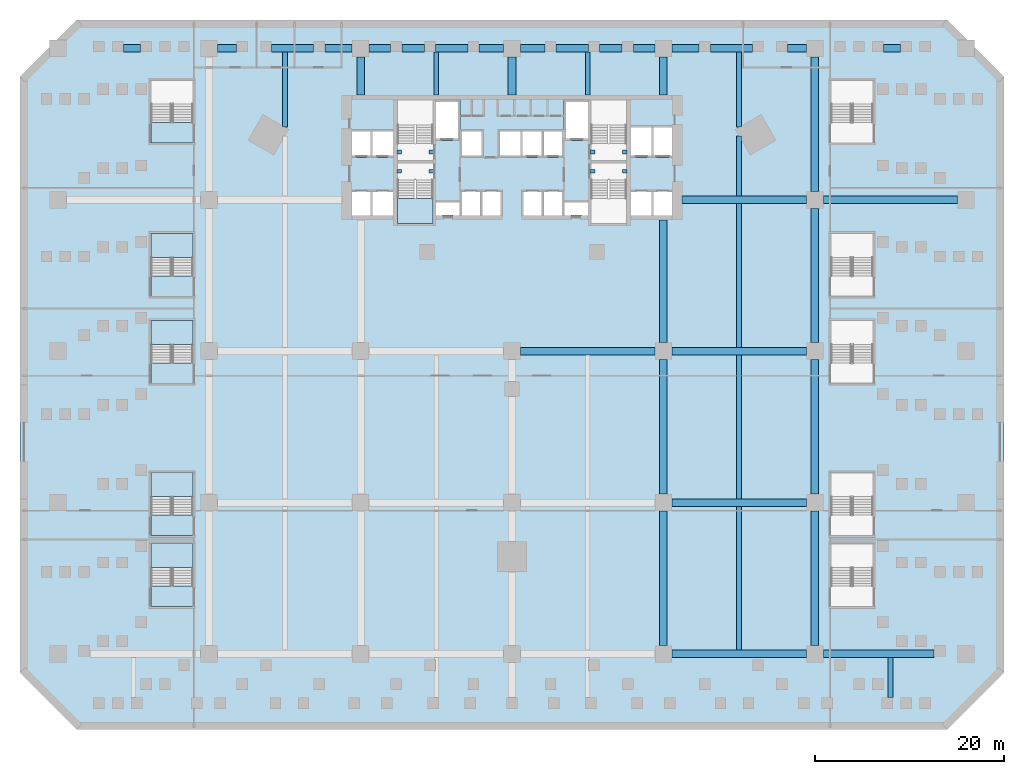
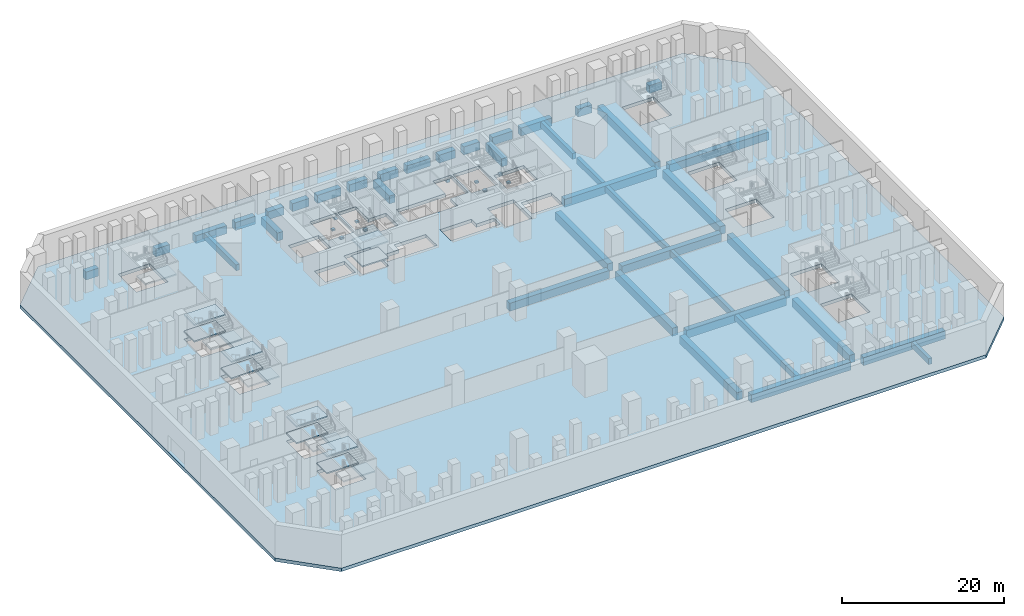
# One storey, part 2 of 24: 50 beams, 16 slabs, 6 elements without a shape of their own.
"""IFC4 building model written with IfcOpenShell, lengths in metres."""

from ifc_helpers import new_model, si_unit, direction, frame, origin, origin_2d, place, context, subcontext, project, spatial, polyline, rectangle, outline, extrude, material, layer, layer_set, material_profile, profile_set, type_object, element, aggregate, save


model = new_model("IFC4")

# Units and contexts
model_context = context("Model", 3, precision=1e-05, world=origin(), true_north=direction((0.0, 1.0)))
body_context = subcontext(model_context, "Body", "Model", "MODEL_VIEW")
ifc_project = project(units=[si_unit("LENGTHUNIT", "METRE"), si_unit("AREAUNIT", "SQUARE_METRE"), si_unit("VOLUMEUNIT", "CUBIC_METRE"), si_unit("PLANEANGLEUNIT", "RADIAN"), si_unit("MASSUNIT", "GRAM", prefix="KILO")], contexts=[model_context])

# Site, building, storey
site_placement = place(None, origin())
site = spatial("IfcSite", under=ifc_project, at=site_placement, CompositionType="ELEMENT")
building_placement = place(site_placement, origin())
building = spatial("IfcBuilding", under=site, at=building_placement, Name="Calabash Gate Tower", CompositionType="ELEMENT")
storey_placement = place(building_placement, frame((0.0, 0.0, -5.0)))
storey = spatial("IfcBuildingStorey", under=building, at=storey_placement, Name="B1", CompositionType="ELEMENT", Elevation=-5.0)

# Beams
ifc_material_1 = material(Name="Concrete C50/60", Category="concrete")
ifc_material_profile_1 = material_profile(ifc_material_1, rectangle(XDim=0.5, YDim=0.89990234375, at=origin_2d()))
ifc_profile_set_1 = profile_set([ifc_material_profile_1], Name="Concrete C50/60")
beam_type_1 = type_object("IfcBeamType", Name="Floor beam RC 500x900 Concrete C50/60", PredefinedType="BEAM", material=ifc_profile_set_1)
beam_1_placement = place(storey_placement, frame((-24.0, 15.681884765625, -0.949951171875), z_axis=(0.0, 1.0, 0.0), x_axis=(-1.0, 0.0, 0.0)))
element("IfcBeam", 1, at=beam_1_placement, inside=storey, type_object=beam_type_1, Name="Floor beam B1 6", PredefinedType="BEAM", context=body_context, shape_type="SweptSolid", body=[
    extrude(rectangle(XDim=0.5, YDim=0.89990234375, at=origin_2d()), origin(), (0.0, 0.0, 1.0), 7.918212890625),
])
for number, where, z_axis, x_axis, name in (
    (2, (-8.0, 19.052978515625, -0.949951171875), (0.0, 1.0, 0.0), (-1.0, 0.0, 0.0), "Floor beam B1 10"),
    (3, (8.0, 19.052978515625, -0.949951171875), (0.0, 1.0, 0.0), (-1.0, 0.0, 0.0), "Floor beam B1 14"),
):
    element("IfcBeam", number, at=place(storey_placement, frame(where, z_axis=z_axis, x_axis=x_axis)), inside=storey, type_object=beam_type_1, Name=name, PredefinedType="BEAM", context=body_context, shape_type="SweptSolid", body=[
        extrude(rectangle(XDim=0.5, YDim=0.89990234375, at=origin_2d()), origin(), (0.0, 0.0, 1.0), 4.547119140625),
    ])
for number, where, z_axis, x_axis, name in (
    (4, (24.0, -39.60009765625, -0.949951171875), (0.0, 1.0, 0.0), (-1.0, 0.0, 0.0), "Floor beam B1 15"),
    (5, (24.0, -23.60009765625, -0.949951171875), (0.0, 1.0, 0.0), (-1.0, 0.0, 0.0), "Floor beam B1 16"),
    (6, (24.0, -7.60009765625, -0.949951171875), (0.0, 1.0, 0.0), (-1.0, 0.0, 0.0), "Floor beam B1 17"),
):
    element("IfcBeam", number, at=place(storey_placement, frame(where, z_axis=z_axis, x_axis=x_axis)), inside=storey, type_object=beam_type_1, Name=name, PredefinedType="BEAM", context=body_context, shape_type="SweptSolid", body=[
        extrude(rectangle(XDim=0.5, YDim=0.89990234375, at=origin_2d()), origin(), (0.0, 0.0, 1.0), 15.2001953125),
    ])
beam_2_placement = place(storey_placement, frame((24.0, 8.39990234375, -0.949951171875), z_axis=(0.0, 1.0, 0.0), x_axis=(-1.0, 0.0, 0.0)))
element("IfcBeam", 7, at=beam_2_placement, inside=storey, type_object=beam_type_1, Name="Floor beam B1 18", PredefinedType="BEAM", context=body_context, shape_type="SweptSolid", body=[
    extrude(rectangle(XDim=0.5, YDim=0.89990234375, at=origin_2d()), origin(), (0.0, 0.0, 1.0), 6.319091796875),
])
beam_3_placement = place(storey_placement, frame((24.0, 15.681884765625, -0.949951171875), z_axis=(0.0, 1.0, 0.0), x_axis=(-1.0, 0.0, 0.0)))
element("IfcBeam", 8, at=beam_3_placement, inside=storey, type_object=beam_type_1, Name="Floor beam B1 19", PredefinedType="BEAM", context=body_context, shape_type="SweptSolid", body=[
    extrude(rectangle(XDim=0.5, YDim=0.89990234375, at=origin_2d()), origin(), (0.0, 0.0, 1.0), 7.918212890625),
])
beam_4_placement = place(storey_placement, frame((40.0, -44.60009765625, -0.949951171875), z_axis=(0.0, 1.0, 0.0), x_axis=(-1.0, 0.0, 0.0)))
element("IfcBeam", 9, at=beam_4_placement, inside=storey, type_object=beam_type_1, Name="Floor beam B1 20", PredefinedType="BEAM", context=body_context, shape_type="SweptSolid", body=[
    extrude(rectangle(XDim=0.5, YDim=0.89990234375, at=origin_2d()), origin(), (0.0, 0.0, 1.0), 4.2001953125),
])
ifc_material_2 = material(Name="Concrete C50/60", Category="concrete")
ifc_material_profile_2 = material_profile(ifc_material_2, rectangle(XDim=0.800048828125, YDim=1.199951171875, at=origin_2d()))
ifc_profile_set_2 = profile_set([ifc_material_profile_2], Name="Concrete C50/60")
beam_type_2 = type_object("IfcBeamType", Name="Grid girder RC 800x1200 Concrete C50/60", PredefinedType="BEAM", material=ifc_profile_set_2)
for number, where, z_axis, x_axis, name in (
    (10, (-16.0, 19.052978515625, -1.10009765625), (0.0, 1.0, 0.0), (-1.0, 0.0, 0.0), "Grid girder B1 8"),
    (11, (0.0, 19.052978515625, -1.10009765625), (0.0, 1.0, 0.0), (-1.0, 0.0, 0.0), "Grid girder B1 14"),
):
    element("IfcBeam", number, at=place(storey_placement, frame(where, z_axis=z_axis, x_axis=x_axis)), inside=storey, type_object=beam_type_2, Name=name, PredefinedType="BEAM", context=body_context, shape_type="SweptSolid", body=[
        extrude(rectangle(XDim=0.800048828125, YDim=1.199951171875, at=origin_2d()), origin(), (0.0, 0.0, 1.0), 4.047119140625),
    ])
for number, where, z_axis, x_axis, name in (
    (12, (16.0, -39.10009765625, -1.10009765625), (0.0, 1.0, 0.0), (-1.0, 0.0, 0.0), "Grid girder B1 15"),
    (13, (16.0, -23.10009765625, -1.10009765625), (0.0, 1.0, 0.0), (-1.0, 0.0, 0.0), "Grid girder B1 16"),
):
    element("IfcBeam", number, at=place(storey_placement, frame(where, z_axis=z_axis, x_axis=x_axis)), inside=storey, type_object=beam_type_2, Name=name, PredefinedType="BEAM", context=body_context, shape_type="SweptSolid", body=[
        extrude(rectangle(XDim=0.800048828125, YDim=1.199951171875, at=origin_2d()), origin(), (0.0, 0.0, 1.0), 14.2001953125),
    ])
beam_5_placement = place(storey_placement, frame((16.0, -7.10009765625, -1.10009765625), z_axis=(0.0, 1.0, 0.0), x_axis=(-1.0, 0.0, 0.0)))
element("IfcBeam", 14, at=beam_5_placement, inside=storey, type_object=beam_type_2, Name="Grid girder B1 17", PredefinedType="BEAM", context=body_context, shape_type="SweptSolid", body=[
    extrude(rectangle(XDim=0.800048828125, YDim=1.199951171875, at=origin_2d()), origin(), (0.0, 0.0, 1.0), 12.953125),
])
beam_6_placement = place(storey_placement, frame((16.0, 19.052978515625, -1.10009765625), z_axis=(0.0, 1.0, 0.0), x_axis=(-1.0, 0.0, 0.0)))
element("IfcBeam", 15, at=beam_6_placement, inside=storey, type_object=beam_type_2, Name="Grid girder B1 18", PredefinedType="BEAM", context=body_context, shape_type="SweptSolid", body=[
    extrude(rectangle(XDim=0.800048828125, YDim=1.199951171875, at=origin_2d()), origin(), (0.0, 0.0, 1.0), 4.047119140625),
])
for number, where, z_axis, x_axis, name in (
    (16, (32.0, -39.10009765625, -1.10009765625), (0.0, 1.0, 0.0), (-1.0, 0.0, 0.0), "Grid girder B1 19"),
    (17, (32.0, -23.10009765625, -1.10009765625), (0.0, 1.0, 0.0), (-1.0, 0.0, 0.0), "Grid girder B1 20"),
    (18, (32.0, -7.10009765625, -1.10009765625), (0.0, 1.0, 0.0), (-1.0, 0.0, 0.0), "Grid girder B1 21"),
    (19, (32.0, 8.89990234375, -1.10009765625), (0.0, 1.0, 0.0), (-1.0, 0.0, 0.0), "Grid girder B1 22"),
    (20, (16.89990234375, -40.0, -1.10009765625), (1.0, 0.0, 0.0), (0.0, 1.0, 0.0), "Grid girder B1 27"),
):
    element("IfcBeam", number, at=place(storey_placement, frame(where, z_axis=z_axis, x_axis=x_axis)), inside=storey, type_object=beam_type_2, Name=name, PredefinedType="BEAM", context=body_context, shape_type="SweptSolid", body=[
        extrude(rectangle(XDim=0.800048828125, YDim=1.199951171875, at=origin_2d()), origin(), (0.0, 0.0, 1.0), 14.2001953125),
    ])
beam_7_placement = place(storey_placement, frame((32.89990234375, -40.0, -1.10009765625), z_axis=(1.0, 0.0, 0.0), x_axis=(0.0, 1.0, 0.0)))
element("IfcBeam", 21, at=beam_7_placement, inside=storey, type_object=beam_type_2, Name="Grid girder B1 28", PredefinedType="BEAM", context=body_context, shape_type="SweptSolid", body=[
    extrude(rectangle(XDim=0.800048828125, YDim=1.199951171875, at=origin_2d()), origin(), (0.0, 0.0, 1.0), 11.7001953125),
])
for number, where, z_axis, x_axis, name in (
    (22, (16.89990234375, -24.0, -1.10009765625), (1.0, 0.0, 0.0), (0.0, 1.0, 0.0), "Grid girder B1 32"),
    (23, (0.89990234375, -8.0, -1.10009765625), (1.0, 0.0, 0.0), (0.0, 1.0, 0.0), "Grid girder B1 35"),
    (24, (16.89990234375, -8.0, -1.10009765625), (1.0, 0.0, 0.0), (0.0, 1.0, 0.0), "Grid girder B1 36"),
):
    element("IfcBeam", number, at=place(storey_placement, frame(where, z_axis=z_axis, x_axis=x_axis)), inside=storey, type_object=beam_type_2, Name=name, PredefinedType="BEAM", context=body_context, shape_type="SweptSolid", body=[
        extrude(rectangle(XDim=0.800048828125, YDim=1.199951171875, at=origin_2d()), origin(), (0.0, 0.0, 1.0), 14.2001953125),
    ])
beam_8_placement = place(storey_placement, frame((17.968017578125, 8.0, -1.10009765625), z_axis=(1.0, 0.0, 0.0), x_axis=(0.0, 1.0, 0.0)))
element("IfcBeam", 25, at=beam_8_placement, inside=storey, type_object=beam_type_2, Name="Grid girder B1 39", PredefinedType="BEAM", context=body_context, shape_type="SweptSolid", body=[
    extrude(rectangle(XDim=0.800048828125, YDim=1.199951171875, at=origin_2d()), origin(), (0.0, 0.0, 1.0), 13.132080078125),
])
beam_9_placement = place(storey_placement, frame((32.89990234375, 8.0, -1.10009765625), z_axis=(1.0, 0.0, 0.0), x_axis=(0.0, 1.0, 0.0)))
element("IfcBeam", 26, at=beam_9_placement, inside=storey, type_object=beam_type_2, Name="Grid girder B1 40", PredefinedType="BEAM", context=body_context, shape_type="SweptSolid", body=[
    extrude(rectangle(XDim=0.800048828125, YDim=1.199951171875, at=origin_2d()), origin(), (0.0, 0.0, 1.0), 14.2001953125),
])
beam_10_placement = place(storey_placement, frame((-41.069091796875, 24.0, -1.10009765625), z_axis=(1.0, 0.0, 0.0), x_axis=(0.0, 1.0, 0.0)))
element("IfcBeam", 27, at=beam_10_placement, inside=storey, type_object=beam_type_2, Name="Grid girder B1 41", PredefinedType="BEAM", context=body_context, shape_type="SweptSolid", body=[
    extrude(rectangle(XDim=0.800048828125, YDim=1.199951171875, at=origin_2d()), origin(), (0.0, 0.0, 1.0), 1.800048828125),
])
beam_11_placement = place(storey_placement, frame((-31.10009765625, 24.0, -1.10009765625), z_axis=(1.0, 0.0, 0.0), x_axis=(0.0, 1.0, 0.0)))
element("IfcBeam", 28, at=beam_11_placement, inside=storey, type_object=beam_type_2, Name="Grid girder B1 42", PredefinedType="BEAM", context=body_context, shape_type="SweptSolid", body=[
    extrude(rectangle(XDim=0.800048828125, YDim=1.199951171875, at=origin_2d()), origin(), (0.0, 0.0, 1.0), 1.97998046875),
])
beam_12_placement = place(storey_placement, frame((-25.40087890625, 24.0, -1.10009765625), z_axis=(1.0, 0.0, 0.0), x_axis=(0.0, 1.0, 0.0)))
element("IfcBeam", 29, at=beam_12_placement, inside=storey, type_object=beam_type_2, Name="Grid girder B1 43", PredefinedType="BEAM", context=body_context, shape_type="SweptSolid", body=[
    extrude(rectangle(XDim=0.800048828125, YDim=1.199951171875, at=origin_2d()), origin(), (0.0, 0.0, 1.0), 4.428955078125),
])
beam_13_placement = place(storey_placement, frame((-19.77099609375, 24.0, -1.10009765625), z_axis=(1.0, 0.0, 0.0), x_axis=(0.0, 1.0, 0.0)))
element("IfcBeam", 30, at=beam_13_placement, inside=storey, type_object=beam_type_2, Name="Grid girder B1 44", PredefinedType="BEAM", context=body_context, shape_type="SweptSolid", body=[
    extrude(rectangle(XDim=0.800048828125, YDim=1.199951171875, at=origin_2d()), origin(), (0.0, 0.0, 1.0), 2.87109375),
])
beam_14_placement = place(storey_placement, frame((-15.10009765625, 24.0, -1.10009765625), z_axis=(1.0, 0.0, 0.0), x_axis=(0.0, 1.0, 0.0)))
element("IfcBeam", 31, at=beam_14_placement, inside=storey, type_object=beam_type_2, Name="Grid girder B1 45", PredefinedType="BEAM", context=body_context, shape_type="SweptSolid", body=[
    extrude(rectangle(XDim=0.800048828125, YDim=1.199951171875, at=origin_2d()), origin(), (0.0, 0.0, 1.0), 2.277099609375),
])
beam_15_placement = place(storey_placement, frame((-11.623046875, 24.0, -1.10009765625), z_axis=(1.0, 0.0, 0.0), x_axis=(0.0, 1.0, 0.0)))
element("IfcBeam", 32, at=beam_15_placement, inside=storey, type_object=beam_type_2, Name="Grid girder B1 46", PredefinedType="BEAM", context=body_context, shape_type="SweptSolid", body=[
    extrude(rectangle(XDim=0.800048828125, YDim=1.199951171875, at=origin_2d()), origin(), (0.0, 0.0, 1.0), 2.35595703125),
])
beam_16_placement = place(storey_placement, frame((-8.06689453125, 24.0, -1.10009765625), z_axis=(1.0, 0.0, 0.0), x_axis=(0.0, 1.0, 0.0)))
element("IfcBeam", 33, at=beam_16_placement, inside=storey, type_object=beam_type_2, Name="Grid girder B1 47", PredefinedType="BEAM", context=body_context, shape_type="SweptSolid", body=[
    extrude(rectangle(XDim=0.800048828125, YDim=1.199951171875, at=origin_2d()), origin(), (0.0, 0.0, 1.0), 3.392822265625),
])
for number, where, z_axis, x_axis, name in (
    (34, (-3.47412109375, 24.0, -1.10009765625), (1.0, 0.0, 0.0), (0.0, 1.0, 0.0), "Grid girder B1 48"),
    (35, (0.89990234375, 24.0, -1.10009765625), (1.0, 0.0, 0.0), (0.0, 1.0, 0.0), "Grid girder B1 49"),
):
    element("IfcBeam", number, at=place(storey_placement, frame(where, z_axis=z_axis, x_axis=x_axis)), inside=storey, type_object=beam_type_2, Name=name, PredefinedType="BEAM", context=body_context, shape_type="SweptSolid", body=[
        extrude(rectangle(XDim=0.800048828125, YDim=1.199951171875, at=origin_2d()), origin(), (0.0, 0.0, 1.0), 2.57421875),
    ])
beam_17_placement = place(storey_placement, frame((4.674072265625, 24.0, -1.10009765625), z_axis=(1.0, 0.0, 0.0), x_axis=(0.0, 1.0, 0.0)))
element("IfcBeam", 36, at=beam_17_placement, inside=storey, type_object=beam_type_2, Name="Grid girder B1 50", PredefinedType="BEAM", context=body_context, shape_type="SweptSolid", body=[
    extrude(rectangle(XDim=0.800048828125, YDim=1.199951171875, at=origin_2d()), origin(), (0.0, 0.0, 1.0), 3.392822265625),
])
beam_18_placement = place(storey_placement, frame((9.26708984375, 24.0, -1.10009765625), z_axis=(1.0, 0.0, 0.0), x_axis=(0.0, 1.0, 0.0)))
element("IfcBeam", 37, at=beam_18_placement, inside=storey, type_object=beam_type_2, Name="Grid girder B1 51", PredefinedType="BEAM", context=body_context, shape_type="SweptSolid", body=[
    extrude(rectangle(XDim=0.800048828125, YDim=1.199951171875, at=origin_2d()), origin(), (0.0, 0.0, 1.0), 2.35595703125),
])
beam_19_placement = place(storey_placement, frame((12.822998046875, 24.0, -1.10009765625), z_axis=(1.0, 0.0, 0.0), x_axis=(0.0, 1.0, 0.0)))
element("IfcBeam", 38, at=beam_19_placement, inside=storey, type_object=beam_type_2, Name="Grid girder B1 52", PredefinedType="BEAM", context=body_context, shape_type="SweptSolid", body=[
    extrude(rectangle(XDim=0.800048828125, YDim=1.199951171875, at=origin_2d()), origin(), (0.0, 0.0, 1.0), 2.277099609375),
])
beam_20_placement = place(storey_placement, frame((16.89990234375, 24.0, -1.10009765625), z_axis=(1.0, 0.0, 0.0), x_axis=(0.0, 1.0, 0.0)))
element("IfcBeam", 39, at=beam_20_placement, inside=storey, type_object=beam_type_2, Name="Grid girder B1 53", PredefinedType="BEAM", context=body_context, shape_type="SweptSolid", body=[
    extrude(rectangle(XDim=0.800048828125, YDim=1.199951171875, at=origin_2d()), origin(), (0.0, 0.0, 1.0), 2.87109375),
])
beam_21_placement = place(storey_placement, frame((20.971923828125, 24.0, -1.10009765625), z_axis=(1.0, 0.0, 0.0), x_axis=(0.0, 1.0, 0.0)))
element("IfcBeam", 40, at=beam_21_placement, inside=storey, type_object=beam_type_2, Name="Grid girder B1 54", PredefinedType="BEAM", context=body_context, shape_type="SweptSolid", body=[
    extrude(rectangle(XDim=0.800048828125, YDim=1.199951171875, at=origin_2d()), origin(), (0.0, 0.0, 1.0), 4.428955078125),
])
beam_22_placement = place(storey_placement, frame((29.1201171875, 24.0, -1.10009765625), z_axis=(1.0, 0.0, 0.0), x_axis=(0.0, 1.0, 0.0)))
element("IfcBeam", 41, at=beam_22_placement, inside=storey, type_object=beam_type_2, Name="Grid girder B1 55", PredefinedType="BEAM", context=body_context, shape_type="SweptSolid", body=[
    extrude(rectangle(XDim=0.800048828125, YDim=1.199951171875, at=origin_2d()), origin(), (0.0, 0.0, 1.0), 1.97998046875),
])
beam_23_placement = place(storey_placement, frame((39.26904296875, 24.0, -1.10009765625), z_axis=(1.0, 0.0, 0.0), x_axis=(0.0, 1.0, 0.0)))
element("IfcBeam", 42, at=beam_23_placement, inside=storey, type_object=beam_type_2, Name="Grid girder B1 56", PredefinedType="BEAM", context=body_context, shape_type="SweptSolid", body=[
    extrude(rectangle(XDim=0.800048828125, YDim=1.199951171875, at=origin_2d()), origin(), (0.0, 0.0, 1.0), 1.800048828125),
])
ifc_material_3 = material(Name="Concrete C60/75", Category="concrete")
ifc_material_profile_3 = material_profile(ifc_material_3, rectangle(XDim=0.39990234375, YDim=0.25, at=origin_2d()))
ifc_profile_set_3 = profile_set([ifc_material_profile_3], Name="Concrete C60/75")
beam_type_3 = type_object("IfcBeamType", Name="Landing corbel RC 400x250 Concrete C60/75", PredefinedType="BEAM", material=ifc_profile_set_3)
for number, where, z_axis, x_axis, name in (
    (43, (-12.14990234375, 13.052978515625, 2.174072265625), (1.0, 0.0, 0.0), (0.0, 1.0, 0.0), "Landing corbel ST1-B1/L2 west"),
    (44, (-8.300048828125, 13.052978515625, 2.174072265625), (-1.0, 0.0, 0.0), (0.0, -1.0, 0.0), "Landing corbel ST1-B1/L2 east"),
    (45, (-12.14990234375, 11.0029296875, 2.174072265625), (1.0, 0.0, 0.0), (0.0, 1.0, 0.0), "Landing corbel ST2-B1/L2 west"),
    (46, (-8.300048828125, 11.0029296875, 2.174072265625), (-1.0, 0.0, 0.0), (0.0, -1.0, 0.0), "Landing corbel ST2-B1/L2 east"),
    (47, (8.300048828125, 13.052978515625, 2.174072265625), (1.0, 0.0, 0.0), (0.0, 1.0, 0.0), "Landing corbel ST3-B1/L2 west"),
    (48, (12.14990234375, 13.052978515625, 2.174072265625), (-1.0, 0.0, 0.0), (0.0, -1.0, 0.0), "Landing corbel ST3-B1/L2 east"),
    (49, (8.300048828125, 11.0029296875, 2.174072265625), (1.0, 0.0, 0.0), (0.0, 1.0, 0.0), "Landing corbel ST4-B1/L2 west"),
    (50, (12.14990234375, 11.0029296875, 2.174072265625), (-1.0, 0.0, 0.0), (0.0, -1.0, 0.0), "Landing corbel ST4-B1/L2 east"),
):
    element("IfcBeam", number, at=place(storey_placement, frame(where, z_axis=z_axis, x_axis=x_axis)), inside=storey, type_object=beam_type_3, Name=name, PredefinedType="BEAM", context=body_context, shape_type="SweptSolid", body=[
        extrude(rectangle(XDim=0.39990234375, YDim=0.25, at=origin_2d()), origin(), (0.0, 0.0, 1.0), 0.449951171875),
    ])

# Slab
ifc_material_4 = material(Name="Concrete C40/50", Category="concrete")
ifc_layer_1 = layer(ifc_material_4, 0.5)
ifc_layer_set_1 = layer_set([ifc_layer_1], Name="Reinforced concrete floor slab 500 Concrete C40/50")
slab_type_1 = type_object("IfcSlabType", Name="Reinforced concrete floor slab 500 Concrete C40/50", PredefinedType="FLOOR", material=ifc_layer_set_1)
slab_1_placement = place(storey_placement, frame((0.0, 0.0, -0.5)))
element("IfcSlab", 51, at=slab_1_placement, inside=storey, type_object=slab_type_1, Name="Floor slab B1", PredefinedType="FLOOR", context=body_context, shape_type="SweptSolid", body=[
    extrude(outline(polyline([(-52.0, 21.0), (-46.0, 27.0), (46.0, 27.0), (52.0, 21.0), (52.0, -42.0), (46.0, -48.0), (-46.0, -48.0), (-52.0, -42.0), (-52.0, 21.0)]), holes=[polyline([(-1.0, 6.3525390625), (-1.0, 9.052490234375), (-3.25, 9.052490234375), (-5.5, 9.052490234375), (-5.5, 7.8525390625), (-8.050048828125, 7.8525390625), (-8.050048828125, 6.3525390625), (-7.324951171875, 6.3525390625), (-7.324951171875, 6.402587890625), (-6.22509765625, 6.402587890625), (-6.22509765625, 6.3525390625), (-5.5, 6.3525390625), (-3.25, 6.3525390625), (-1.0, 6.3525390625)]), polyline([(8.050048828125, 6.3525390625), (8.050048828125, 7.8525390625), (5.5, 7.8525390625), (5.5, 9.052490234375), (3.25, 9.052490234375), (1.0, 9.052490234375), (1.0, 6.3525390625), (3.25, 6.3525390625), (5.5, 6.3525390625), (6.22509765625, 6.3525390625), (6.22509765625, 6.402587890625), (7.324951171875, 6.402587890625), (7.324951171875, 6.3525390625), (8.050048828125, 6.3525390625)]), polyline([(-3.0, 12.45263671875), (-3.0, 15.45263671875), (-5.5, 15.45263671875), (-5.5, 18.552490234375), (-8.050048828125, 18.552490234375), (-8.050048828125, 14.252685546875), (-5.5, 14.252685546875), (-5.5, 12.45263671875), (-3.0, 12.45263671875)]), polyline([(5.5, 14.252685546875), (8.050048828125, 14.252685546875), (8.050048828125, 18.552490234375), (5.5, 18.552490234375), (5.5, 15.45263671875), (3.25, 15.45263671875), (1.0, 15.45263671875), (-1.5, 15.45263671875), (-1.5, 12.45263671875), (1.0, 12.45263671875), (3.25, 12.45263671875), (5.5, 12.45263671875), (5.5, 14.252685546875)]), polyline([(-16.89990234375, 6.3525390625), (-14.85009765625, 6.3525390625), (-12.60009765625, 6.3525390625), (-12.60009765625, 9.052490234375), (-14.85009765625, 9.052490234375), (-16.89990234375, 9.052490234375), (-16.89990234375, 6.3525390625)]), polyline([(-16.89990234375, 15.45263671875), (-16.89990234375, 12.45263671875), (-14.85009765625, 12.45263671875), (-12.60009765625, 12.45263671875), (-12.60009765625, 15.45263671875), (-14.85009765625, 15.45263671875), (-16.89990234375, 15.45263671875)]), polyline([(12.60009765625, 9.052490234375), (12.60009765625, 6.3525390625), (14.85009765625, 6.3525390625), (16.89990234375, 6.3525390625), (16.89990234375, 9.052490234375), (14.85009765625, 9.052490234375), (12.60009765625, 9.052490234375)]), polyline([(12.60009765625, 15.8525390625), (12.60009765625, 12.45263671875), (14.85009765625, 12.45263671875), (16.89990234375, 12.45263671875), (16.89990234375, 15.8525390625), (14.85009765625, 15.8525390625), (12.60009765625, 15.8525390625)]), polyline([(-12.10009765625, 13.95263671875), (-8.35009765625, 13.95263671875), (-8.35009765625, 18.552490234375), (-12.10009765625, 18.552490234375), (-12.10009765625, 13.95263671875)]), polyline([(-8.35009765625, 5.502685546875), (-8.35009765625, 10.1025390625), (-12.10009765625, 10.1025390625), (-12.10009765625, 5.502685546875), (-8.35009765625, 5.502685546875)]), polyline([(12.10009765625, 18.552490234375), (8.35009765625, 18.552490234375), (8.35009765625, 13.95263671875), (12.10009765625, 13.95263671875), (12.10009765625, 18.552490234375)]), polyline([(8.35009765625, 10.1025390625), (8.35009765625, 5.502685546875), (12.10009765625, 5.502685546875), (12.10009765625, 10.1025390625), (8.35009765625, 10.1025390625)]), polyline([(-33.699951171875, -28.35009765625), (-38.169921875, -28.35009765625), (-38.169921875, -32.840087890625), (-33.699951171875, -32.840087890625), (-33.699951171875, -28.35009765625)]), polyline([(-33.699951171875, -25.340087890625), (-33.699951171875, -20.85009765625), (-38.169921875, -20.85009765625), (-38.169921875, -25.340087890625), (-33.699951171875, -25.340087890625)]), polyline([(-38.169921875, -9.239990234375), (-33.699951171875, -9.239990234375), (-33.699951171875, -4.75), (-38.169921875, -4.75), (-38.169921875, -9.239990234375)]), polyline([(-38.169921875, 4.449951171875), (-38.169921875, -0.0400390625), (-33.699951171875, -0.0400390625), (-33.699951171875, 4.449951171875), (-38.169921875, 4.449951171875)]), polyline([(-33.699951171875, 20.64990234375), (-38.169921875, 20.64990234375), (-38.169921875, 16.159912109375), (-33.699951171875, 16.159912109375), (-33.699951171875, 20.64990234375)]), polyline([(38.169921875, -32.840087890625), (38.169921875, -28.35009765625), (33.699951171875, -28.35009765625), (33.699951171875, -32.840087890625), (38.169921875, -32.840087890625)]), polyline([(33.699951171875, -25.340087890625), (38.169921875, -25.340087890625), (38.169921875, -20.85009765625), (33.699951171875, -20.85009765625), (33.699951171875, -25.340087890625)]), polyline([(33.699951171875, -4.75), (33.699951171875, -9.239990234375), (38.169921875, -9.239990234375), (38.169921875, -4.75), (33.699951171875, -4.75)]), polyline([(38.169921875, 4.449951171875), (33.699951171875, 4.449951171875), (33.699951171875, -0.0400390625), (38.169921875, -0.0400390625), (38.169921875, 4.449951171875)]), polyline([(38.169921875, 16.159912109375), (38.169921875, 20.64990234375), (33.699951171875, 20.64990234375), (33.699951171875, 16.159912109375), (38.169921875, 16.159912109375)])]), origin(), (0.0, 0.0, 1.0), 0.5),
])

# Stair, slabs
ifc_material_5 = material(Name="Concrete C40/50", Category="concrete")
stair_type_1 = type_object("IfcStairType", Name="Exit stair 32 risers of 156.2 mm", PredefinedType="HALF_TURN_STAIR", material=ifc_material_5)
stair_1_placement = place(storey_placement, origin())
stair_1 = element("IfcStair", 52, at=stair_1_placement, inside=storey, type_object=stair_type_1, Name="B1 Exit stair ST2", PredefinedType="HALF_TURN_STAIR")
ifc_material_6 = material(Name="Concrete C40/50", Category="concrete")
ifc_layer_2 = layer(ifc_material_6, 0.199951171875)
ifc_layer_set_2 = layer_set([ifc_layer_2], Name="Stair landing SL200")
slab_type_2 = type_object("IfcSlabType", Name="Stair landing SL200", PredefinedType="LANDING", material=ifc_layer_set_2)
slab_2_placement = place(storey_placement, frame((0.0, 0.0, 1.050048828125)))
slab_2 = element("IfcSlab", 53, at=slab_2_placement, type_object=slab_type_2, Name="ST2 landing 1", PredefinedType="LANDING", context=body_context, shape_type="SweptSolid", body=[
    extrude(outline(polyline([(-12.10009765625, 8.149658203125), (-12.10009765625, 5.502685546875), (-8.35009765625, 5.502685546875), (-8.35009765625, 8.149658203125), (-12.10009765625, 8.149658203125)])), origin(), (0.0, 0.0, 1.0), 0.199951171875),
])
slab_3_placement = place(storey_placement, frame((0.0, 0.0, 3.550048828125)))
slab_3 = element("IfcSlab", 54, at=slab_3_placement, type_object=slab_type_2, Name="ST2 landing 3", PredefinedType="LANDING", context=body_context, shape_type="SweptSolid", body=[
    extrude(outline(polyline([(-12.10009765625, 8.149658203125), (-12.10009765625, 5.502685546875), (-8.35009765625, 5.502685546875), (-8.35009765625, 8.149658203125), (-12.10009765625, 8.149658203125)])), origin(), (0.0, 0.0, 1.0), 0.199951171875),
])
aggregate(stair_1, [slab_2, slab_3])

ifc_material_7 = material(Name="Concrete C40/50", Category="concrete")
stair_type_2 = type_object("IfcStairType", Name="Public stair 32 risers of 156.2 mm", PredefinedType="HALF_TURN_STAIR", material=ifc_material_7)
stair_2_placement = place(storey_placement, origin())
stair_2 = element("IfcStair", 55, at=stair_2_placement, inside=storey, type_object=stair_type_2, Name="B1 Public Stair PS1", PredefinedType="HALF_TURN_STAIR")
slab_4_placement = place(storey_placement, frame((0.0, 0.0, 1.050048828125)))
slab_4 = element("IfcSlab", 56, at=slab_4_placement, type_object=slab_type_2, Name="PS1 landing 1", PredefinedType="LANDING", context=body_context, shape_type="SweptSolid", body=[
    extrude(outline(polyline([(-33.699951171875, -30.886962890625), (-33.699951171875, -28.35009765625), (-38.169921875, -28.35009765625), (-38.169921875, -30.886962890625), (-33.699951171875, -30.886962890625)])), origin(), (0.0, 0.0, 1.0), 0.199951171875),
])
slab_5_placement = place(storey_placement, frame((0.0, 0.0, 2.300048828125)))
slab_5 = element("IfcSlab", 57, at=slab_5_placement, type_object=slab_type_2, Name="PS1 landing 2", PredefinedType="LANDING", context=body_context, shape_type="SweptSolid", body=[
    extrude(outline(polyline([(-33.699951171875, -35.0), (-33.699951171875, -32.840087890625), (-38.169921875, -32.840087890625), (-38.169921875, -35.0), (-33.699951171875, -35.0)])), origin(), (0.0, 0.0, 1.0), 0.199951171875),
])
slab_6_placement = place(storey_placement, frame((0.0, 0.0, 3.550048828125)))
slab_6 = element("IfcSlab", 58, at=slab_6_placement, type_object=slab_type_2, Name="PS1 landing 3", PredefinedType="LANDING", context=body_context, shape_type="SweptSolid", body=[
    extrude(outline(polyline([(-33.699951171875, -30.886962890625), (-33.699951171875, -28.35009765625), (-38.169921875, -28.35009765625), (-38.169921875, -30.886962890625), (-33.699951171875, -30.886962890625)])), origin(), (0.0, 0.0, 1.0), 0.199951171875),
])
aggregate(stair_2, [slab_4, slab_5, slab_6])

stair_3_placement = place(storey_placement, origin())
stair_3 = element("IfcStair", 59, at=stair_3_placement, inside=storey, type_object=stair_type_2, Name="B1 Public Stair PS2", PredefinedType="HALF_TURN_STAIR")
slab_7_placement = place(storey_placement, frame((0.0, 0.0, 1.050048828125)))
slab_7 = element("IfcSlab", 60, at=slab_7_placement, type_object=slab_type_2, Name="PS2 landing 1", PredefinedType="LANDING", context=body_context, shape_type="SweptSolid", body=[
    extrude(outline(polyline([(-33.699951171875, -23.386962890625), (-33.699951171875, -20.85009765625), (-38.169921875, -20.85009765625), (-38.169921875, -23.386962890625), (-33.699951171875, -23.386962890625)])), origin(), (0.0, 0.0, 1.0), 0.199951171875),
])
slab_8_placement = place(storey_placement, frame((0.0, 0.0, 2.300048828125)))
slab_8 = element("IfcSlab", 61, at=slab_8_placement, type_object=slab_type_2, Name="PS2 landing 2", PredefinedType="LANDING", context=body_context, shape_type="SweptSolid", body=[
    extrude(outline(polyline([(-33.699951171875, -27.5), (-33.699951171875, -25.340087890625), (-38.169921875, -25.340087890625), (-38.169921875, -27.5), (-33.699951171875, -27.5)])), origin(), (0.0, 0.0, 1.0), 0.199951171875),
])
slab_9_placement = place(storey_placement, frame((0.0, 0.0, 3.550048828125)))
slab_9 = element("IfcSlab", 62, at=slab_9_placement, type_object=slab_type_2, Name="PS2 landing 3", PredefinedType="LANDING", context=body_context, shape_type="SweptSolid", body=[
    extrude(outline(polyline([(-33.699951171875, -23.386962890625), (-33.699951171875, -20.85009765625), (-38.169921875, -20.85009765625), (-38.169921875, -23.386962890625), (-33.699951171875, -23.386962890625)])), origin(), (0.0, 0.0, 1.0), 0.199951171875),
])
aggregate(stair_3, [slab_7, slab_8, slab_9])

stair_4_placement = place(storey_placement, origin())
stair_4 = element("IfcStair", 63, at=stair_4_placement, inside=storey, type_object=stair_type_2, Name="B1 Public Stair PS3", PredefinedType="HALF_TURN_STAIR")
slab_10_placement = place(storey_placement, frame((0.0, 0.0, 1.050048828125)))
slab_10 = element("IfcSlab", 64, at=slab_10_placement, type_object=slab_type_2, Name="PS3 landing 1", PredefinedType="LANDING", context=body_context, shape_type="SweptSolid", body=[
    extrude(outline(polyline([(-33.699951171875, -7.287109375), (-33.699951171875, -4.75), (-38.169921875, -4.75), (-38.169921875, -7.287109375), (-33.699951171875, -7.287109375)])), origin(), (0.0, 0.0, 1.0), 0.199951171875),
])
slab_11_placement = place(storey_placement, frame((0.0, 0.0, 2.300048828125)))
slab_11 = element("IfcSlab", 65, at=slab_11_placement, type_object=slab_type_2, Name="PS3 landing 2", PredefinedType="LANDING", context=body_context, shape_type="SweptSolid", body=[
    extrude(outline(polyline([(-33.699951171875, -11.39990234375), (-33.699951171875, -9.239990234375), (-38.169921875, -9.239990234375), (-38.169921875, -11.39990234375), (-33.699951171875, -11.39990234375)])), origin(), (0.0, 0.0, 1.0), 0.199951171875),
])
slab_12_placement = place(storey_placement, frame((0.0, 0.0, 3.550048828125)))
slab_12 = element("IfcSlab", 66, at=slab_12_placement, type_object=slab_type_2, Name="PS3 landing 3", PredefinedType="LANDING", context=body_context, shape_type="SweptSolid", body=[
    extrude(outline(polyline([(-33.699951171875, -7.287109375), (-33.699951171875, -4.75), (-38.169921875, -4.75), (-38.169921875, -7.287109375), (-33.699951171875, -7.287109375)])), origin(), (0.0, 0.0, 1.0), 0.199951171875),
])
aggregate(stair_4, [slab_10, slab_11, slab_12])

stair_5_placement = place(storey_placement, origin())
stair_5 = element("IfcStair", 67, at=stair_5_placement, inside=storey, type_object=stair_type_2, Name="B1 Public Stair PS4", PredefinedType="HALF_TURN_STAIR")
slab_13_placement = place(storey_placement, frame((0.0, 0.0, 1.050048828125)))
slab_13 = element("IfcSlab", 68, at=slab_13_placement, type_object=slab_type_2, Name="PS4 landing 1", PredefinedType="LANDING", context=body_context, shape_type="SweptSolid", body=[
    extrude(outline(polyline([(-33.699951171875, 1.9130859375), (-33.699951171875, 4.449951171875), (-38.169921875, 4.449951171875), (-38.169921875, 1.9130859375), (-33.699951171875, 1.9130859375)])), origin(), (0.0, 0.0, 1.0), 0.199951171875),
])
slab_14_placement = place(storey_placement, frame((0.0, 0.0, 2.300048828125)))
slab_14 = element("IfcSlab", 69, at=slab_14_placement, type_object=slab_type_2, Name="PS4 landing 2", PredefinedType="LANDING", context=body_context, shape_type="SweptSolid", body=[
    extrude(outline(polyline([(-33.699951171875, -2.199951171875), (-33.699951171875, -0.0400390625), (-38.169921875, -0.0400390625), (-38.169921875, -2.199951171875), (-33.699951171875, -2.199951171875)])), origin(), (0.0, 0.0, 1.0), 0.199951171875),
])
slab_15_placement = place(storey_placement, frame((0.0, 0.0, 3.550048828125)))
slab_15 = element("IfcSlab", 70, at=slab_15_placement, type_object=slab_type_2, Name="PS4 landing 3", PredefinedType="LANDING", context=body_context, shape_type="SweptSolid", body=[
    extrude(outline(polyline([(-33.699951171875, 1.9130859375), (-33.699951171875, 4.449951171875), (-38.169921875, 4.449951171875), (-38.169921875, 1.9130859375), (-33.699951171875, 1.9130859375)])), origin(), (0.0, 0.0, 1.0), 0.199951171875),
])
aggregate(stair_5, [slab_13, slab_14, slab_15])

# Stair, slab
stair_6_placement = place(storey_placement, origin())
stair_6 = element("IfcStair", 71, at=stair_6_placement, inside=storey, type_object=stair_type_2, Name="B1 Public Stair PS5", PredefinedType="HALF_TURN_STAIR")
slab_16_placement = place(storey_placement, frame((0.0, 0.0, 2.300048828125)))
slab_16 = element("IfcSlab", 72, at=slab_16_placement, type_object=slab_type_2, Name="PS5 landing 2", PredefinedType="LANDING", context=body_context, shape_type="SweptSolid", body=[
    extrude(outline(polyline([(-33.699951171875, 14.0), (-33.699951171875, 16.159912109375), (-38.169921875, 16.159912109375), (-38.169921875, 14.0), (-33.699951171875, 14.0)])), origin(), (0.0, 0.0, 1.0), 0.199951171875),
])
aggregate(stair_6, [slab_16])

save(model, "model.ifc")
